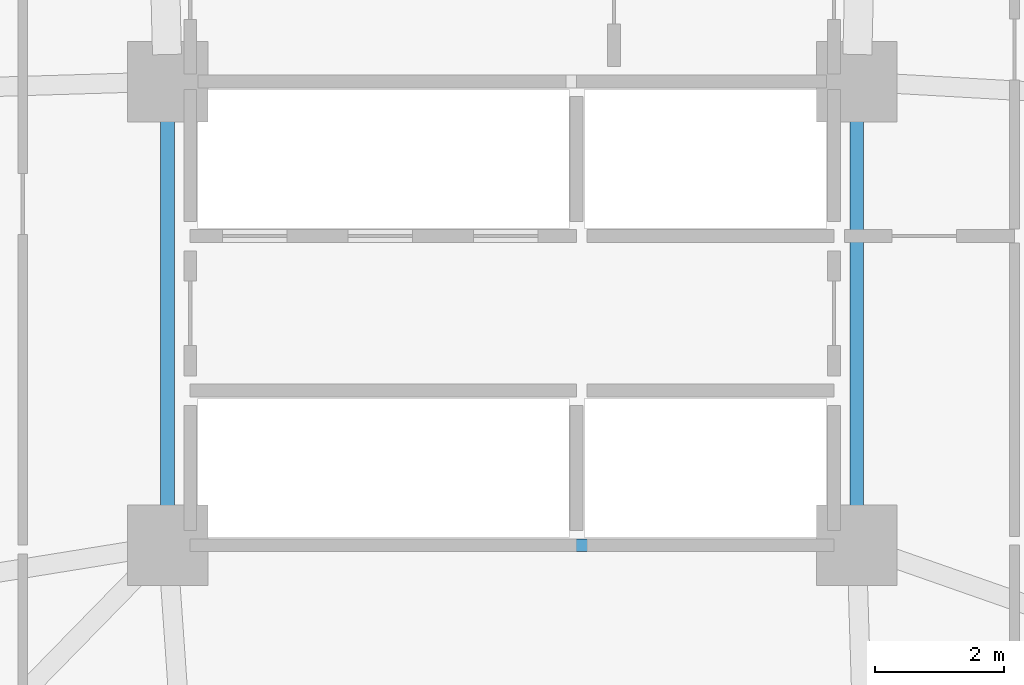
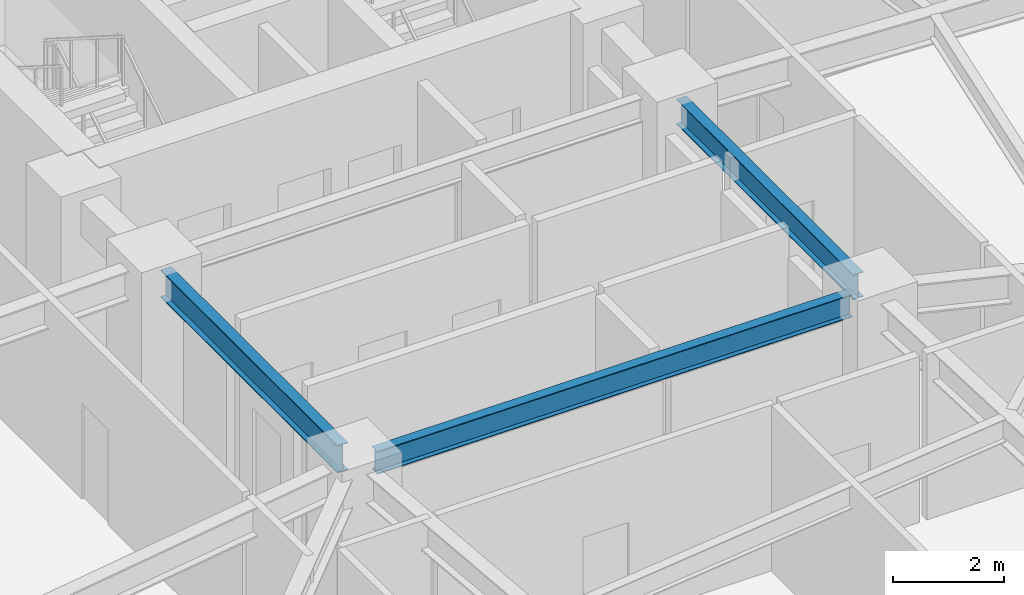
# One storey, part 8 of 23: 3 beams.
"""IFC4 building model written with IfcOpenShell, lengths in metres."""

import ifcopenshell
import ifcopenshell.guid

model = None  # the IFC model being written
_history = None  # IfcOwnerHistory: only IFC2X3 demands one
_inside = {}  # id of a spatial element -> (the spatial element, [elements in it])
_under = {}  # id of a project, library or spatial element -> (it, [spatial elements below it])
_declared = {}  # id of a project -> (the project, [libraries it declares])
_typed = {}  # id of a type object -> (the type object, [elements of that type])
_made_of = {}  # id of a material, layer set ... -> (it, [elements and type objects made of it])


def new_model(schema):
    """Start an empty IFC model of exactly this schema.

    Asked for "IFC4X3", IfcOpenShell would pick the latest addendum, in which some entities
    have other attributes; the version numbers below select the first issue.
    IFC2X3 requires an IfcOwnerHistory on every rooted entity: one is made here for all.
    """
    global model, _history
    if schema == "IFC4X3":
        model = ifcopenshell.file(schema_version=(4, 3, 0, 0))
    else:
        model = ifcopenshell.file(schema=schema)
    _inside.clear()
    _under.clear()
    _declared.clear()
    _typed.clear()
    _made_of.clear()
    _history = None
    if model.schema == "IFC2X3":
        org = make("IfcOrganization", Name="unknown")
        user = make(
            "IfcPersonAndOrganization",
            ThePerson=make("IfcPerson", FamilyName="unknown"),
            TheOrganization=org,
        )
        app = make(
            "IfcApplication",
            ApplicationDeveloper=org,
            Version="unknown",
            ApplicationFullName="unknown",
            ApplicationIdentifier="unknown",
        )
        _history = make(
            "IfcOwnerHistory",
            OwningUser=user,
            OwningApplication=app,
            ChangeAction="ADDED",
            CreationDate=0,
        )
    return model


def make(cls, **values):
    """One entity of the class cls with the attributes given. An attribute that is None is left unset."""
    return model.create_entity(
        cls, **{name: value for name, value in values.items() if value is not None}
    )


def rooted(cls, **values):
    """An entity with a GlobalId (a new one), such as an element, a storey or a relation."""
    return make(cls, GlobalId=ifcopenshell.guid.new(), OwnerHistory=_history, **values)


def si_unit(unit_type, name, prefix=None):
    """IfcSIUnit, for example si_unit("LENGTHUNIT", "METRE", prefix="MILLI")."""
    return make("IfcSIUnit", UnitType=unit_type, Prefix=prefix, Name=name)


def assignment(units):
    """IfcUnitAssignment: the units of a project."""
    return None if units is None else make("IfcUnitAssignment", Units=units)


def point(xyz):
    """IfcCartesianPoint."""
    return None if xyz is None else make("IfcCartesianPoint", Coordinates=xyz)


def direction(xyz):
    """IfcDirection."""
    return None if xyz is None else make("IfcDirection", DirectionRatios=xyz)


def frame(location, z_axis=None, x_axis=None):
    """IfcAxis2Placement3D, a coordinate frame: its origin and axes. An axis left out is left unset."""
    return make(
        "IfcAxis2Placement3D",
        Location=point(location),
        Axis=direction(z_axis),
        RefDirection=direction(x_axis),
    )


def frame_2d(location, x_axis=None):
    """IfcAxis2Placement2D, a coordinate frame in the plane: its origin and x axis."""
    return make(
        "IfcAxis2Placement2D", Location=point(location), RefDirection=direction(x_axis)
    )


def origin():
    """The frame at (0, 0, 0) with its axes left unset."""
    return frame((0.0, 0.0, 0.0))


def origin_2d():
    """The frame at (0, 0) in the plane with its x axis left unset."""
    return frame_2d((0.0, 0.0))


def place(relative_to, where):
    """IfcLocalPlacement: puts the frame where relative to a parent placement (None: the world)."""
    return make(
        "IfcLocalPlacement", PlacementRelTo=relative_to, RelativePlacement=where
    )


def context(
    kind, dimensions, precision=None, world=None, true_north=None, identifier=None
):
    """IfcGeometricRepresentationContext, for example the 3D "Model" context."""
    return make(
        "IfcGeometricRepresentationContext",
        ContextIdentifier=identifier,
        ContextType=kind,
        CoordinateSpaceDimension=dimensions,
        Precision=precision,
        WorldCoordinateSystem=world,
        TrueNorth=true_north,
    )


def subcontext(parent, identifier, kind, view, scale=None):
    """IfcGeometricRepresentationSubContext, for example "Body" below "Model"."""
    return make(
        "IfcGeometricRepresentationSubContext",
        ContextIdentifier=identifier,
        ContextType=kind,
        ParentContext=parent,
        TargetScale=scale,
        TargetView=view,
    )


def project(units=None, contexts=None):
    """IfcProject with its units and contexts."""
    return rooted(
        "IfcProject",
        Name="project",
        RepresentationContexts=contexts,
        UnitsInContext=assignment(units),
    )


def spatial(cls, under=None, at=None, **own):
    """A site, building, storey or space (cls), placed at a placement, below another one or the project."""
    s = rooted(cls, ObjectPlacement=at, **own)
    if under is not None:
        _under.setdefault(under.id(), (under, []))[1].append(s)
    return s


def profile(cls, at=None, kind="AREA", **sizes):
    """A parametric profile (cls). Its sizes go by their IFC names, for example OverallWidth=200.0."""
    return make(cls, ProfileType=kind, Position=at, **sizes)


def i_section(**sizes):
    """IfcIShapeProfileDef."""
    return profile("IfcIShapeProfileDef", **sizes)


def extrude(swept, where, along, depth):
    """IfcExtrudedAreaSolid: the profile swept, set in the frame where, extruded along a direction by depth."""
    return make(
        "IfcExtrudedAreaSolid",
        SweptArea=swept,
        Position=where,
        ExtrudedDirection=direction(along),
        Depth=depth,
    )


def shape(context_of_items, identifier, shape_type, items):
    """IfcShapeRepresentation: the items that make up one representation, for example the "Body"."""
    return make(
        "IfcShapeRepresentation",
        ContextOfItems=context_of_items,
        RepresentationIdentifier=identifier,
        RepresentationType=shape_type,
        Items=items,
    )


def material(Name=None, Category=None):
    """IfcMaterial."""
    return make("IfcMaterial", Name=Name, Category=Category)


def material_profile(
    of_material, cross_section, Name=None, Category=None, Priority=None
):
    """IfcMaterialProfile: a cross section and its material."""
    return make(
        "IfcMaterialProfile",
        Name=Name,
        Material=of_material,
        Profile=cross_section,
        Priority=Priority,
        Category=Category,
    )


def profile_set(profiles, Name=None, composite=None):
    """IfcMaterialProfileSet."""
    return make(
        "IfcMaterialProfileSet",
        Name=Name,
        MaterialProfiles=profiles,
        CompositeProfile=composite,
    )


def made_of(thing, what):
    """Note that an element or type object is made of a material, layer set ...; save() writes the relation."""
    if what is not None:
        _made_of.setdefault(what.id(), (what, []))[1].append(thing)
    return thing


def type_object(cls, material=None, **own):
    """A type object (cls), such as IfcWallType, which elements share."""
    return made_of(rooted(cls, **own), material)


def element(
    cls,
    number,
    at=None,
    inside=None,
    cuts=None,
    type_object=None,
    material=None,
    context=None,
    identifier="Body",
    shape_type=None,
    held_by="IfcProductDefinitionShape",
    body=None,
    shapes=None,
    **own,
):
    """One element of the class cls, such as IfcWall. Its Tag is "e" and its number.

    at: its placement. inside: the storey or other place that contains it. cuts: it is an
    opening in that element (IfcRelVoidsElement). A single representation is given by context,
    identifier, shape_type and body (its items); several are given by shapes. held_by: the class
    of the entity that holds the representations. save() writes the other relations.
    """
    e = rooted(cls, Tag="e%d" % number, ObjectPlacement=at, **own)
    if body is not None:
        shapes = [shape(context, identifier, shape_type, body)]
    if shapes is not None:
        e.Representation = make(held_by, Representations=shapes)
    if inside is not None:
        _inside.setdefault(inside.id(), (inside, []))[1].append(e)
    if cuts is not None:
        rooted(
            "IfcRelVoidsElement", RelatingBuildingElement=cuts, RelatedOpeningElement=e
        )
    if type_object is not None:
        _typed.setdefault(type_object.id(), (type_object, []))[1].append(e)
    return made_of(e, material)


def aggregate(whole, parts):
    """IfcRelAggregates: a whole, such as a stair, and the parts it consists of."""
    return rooted("IfcRelAggregates", RelatingObject=whole, RelatedObjects=parts)


def save(model, path):
    """Write the relations noted so far, then the file.

    IfcRelAggregates (storeys below a building ...), IfcRelContainedInSpatialStructure (elements
    in a storey), IfcRelDefinesByType, IfcRelAssociatesMaterial and IfcRelDeclares: one each for
    every whole, place, type object, material and project.
    """
    for whole, parts in _under.values():
        aggregate(whole, parts)
    for where, things in _inside.values():
        rooted(
            "IfcRelContainedInSpatialStructure",
            RelatedElements=things,
            RelatingStructure=where,
        )
    for kind, things in _typed.values():
        rooted("IfcRelDefinesByType", RelatedObjects=things, RelatingType=kind)
    for what, things in _made_of.values():
        rooted("IfcRelAssociatesMaterial", RelatedObjects=things, RelatingMaterial=what)
    for by, libraries in _declared.values():
        rooted("IfcRelDeclares", RelatingContext=by, RelatedDefinitions=libraries)
    model.write(path)


model = new_model("IFC4")

# Units and contexts
model_context = context("Model", 3, precision=1e-05, world=origin(), true_north=direction((0.0, 1.0)))
body_context = subcontext(model_context, "Body", "Model", "MODEL_VIEW")
ifc_project = project(units=[si_unit("LENGTHUNIT", "METRE"), si_unit("AREAUNIT", "SQUARE_METRE"), si_unit("VOLUMEUNIT", "CUBIC_METRE"), si_unit("PLANEANGLEUNIT", "RADIAN"), si_unit("MASSUNIT", "GRAM", prefix="KILO")], contexts=[model_context])

# Site, building, storey
site_placement = place(None, origin())
site = spatial("IfcSite", under=ifc_project, at=site_placement, CompositionType="ELEMENT")
building_placement = place(site_placement, origin())
building = spatial("IfcBuilding", under=site, at=building_placement, Name="Varnakorn Sky Granary", CompositionType="ELEMENT")
storey_placement = place(building_placement, frame((0.0, 0.0, 31.5)))
storey = spatial("IfcBuildingStorey", under=building, at=storey_placement, Name="L07", CompositionType="ELEMENT", Elevation=31.5)

# Beams
ifc_material = material(Name="Steel S355JR", Category="steel")
ifc_material_profile_1 = material_profile(ifc_material, i_section(OverallWidth=0.2099609375, OverallDepth=0.550048828125, WebThickness=0.010986328125, FlangeThickness=0.01708984375, at=origin_2d()), Name="IPE 550")
ifc_profile_set_1 = profile_set([ifc_material_profile_1], Name="Steel S355JR")
beam_type_1 = type_object("IfcBeamType", Name="BM-JST-550", PredefinedType="JOIST", material=ifc_profile_set_1)
beam_1_placement = place(storey_placement, frame((8.35009765625, 0.179931640625, 3.364990234375), z_axis=(0.0, -1.0, 0.0), x_axis=(1.0, 0.0, 0.0)))
element("IfcBeam", 1, at=beam_1_placement, inside=storey, type_object=beam_type_1, Name="Core Spine Framing Beam 4 L07", PredefinedType="JOIST", context=body_context, shape_type="SweptSolid", body=[
    extrude(i_section(OverallWidth=0.2099609375, OverallDepth=0.550048828125, WebThickness=0.010986328125, FlangeThickness=0.01708984375, at=origin_2d()), origin(), (0.0, 0.0, 1.0), 6.35986328125),
])
ifc_material_profile_2 = material_profile(ifc_material, i_section(OverallWidth=0.219970703125, OverallDepth=0.60009765625, WebThickness=0.011962890625, FlangeThickness=0.01904296875, at=origin_2d()), Name="IPE 600")
ifc_profile_set_2 = profile_set([ifc_material_profile_2], Name="Steel S355JR")
beam_type_2 = type_object("IfcBeamType", Name="BM-JST-600", PredefinedType="JOIST", material=ifc_profile_set_2)
beam_2_placement = place(storey_placement, frame((-2.35009765625, 0.179931640625, 3.340087890625), z_axis=(0.0, -1.0, 0.0), x_axis=(1.0, 0.0, 0.0)))
element("IfcBeam", 2, at=beam_2_placement, inside=storey, type_object=beam_type_2, Name="Core Spine Framing Beam 3 L07", PredefinedType="JOIST", context=body_context, shape_type="SweptSolid", body=[
    extrude(i_section(OverallWidth=0.219970703125, OverallDepth=0.60009765625, WebThickness=0.011962890625, FlangeThickness=0.01904296875, at=origin_2d()), origin(), (0.0, 0.0, 1.0), 6.35986328125),
])
ifc_material_profile_3 = material_profile(ifc_material, i_section(OverallWidth=0.199951171875, OverallDepth=0.5, WebThickness=0.01025390625, FlangeThickness=0.01611328125, at=origin_2d()), Name="IPE 500")
ifc_profile_set_3 = profile_set([ifc_material_profile_3], Name="Steel S355JR")
beam_type_3 = type_object("IfcBeamType", Name="BM-SEC-Z1", PredefinedType="BEAM", material=ifc_profile_set_3)
beam_3_placement = place(storey_placement, frame((-1.929931640625, -6.60009765625, 3.389892578125), z_axis=(1.0, 0.0, 0.0), x_axis=(0.0, 1.0, 0.0)))
element("IfcBeam", 3, at=beam_3_placement, inside=storey, type_object=beam_type_3, Name="Core Spine Framing Beam 6 L07", PredefinedType="BEAM", context=body_context, shape_type="SweptSolid", body=[
    extrude(i_section(OverallWidth=0.199951171875, OverallDepth=0.5, WebThickness=0.01025390625, FlangeThickness=0.01611328125, at=origin_2d()), origin(), (0.0, 0.0, 1.0), 9.85986328125),
])

save(model, "model.ifc")
